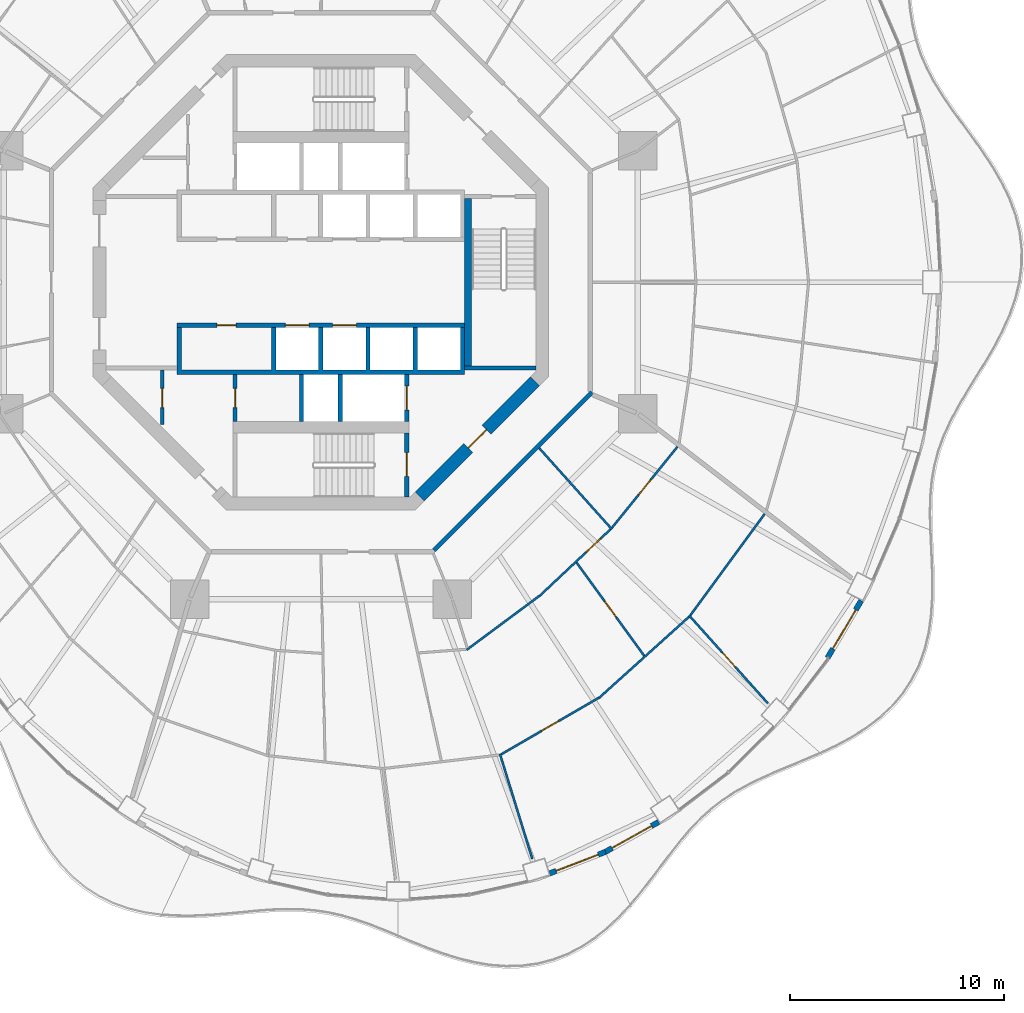
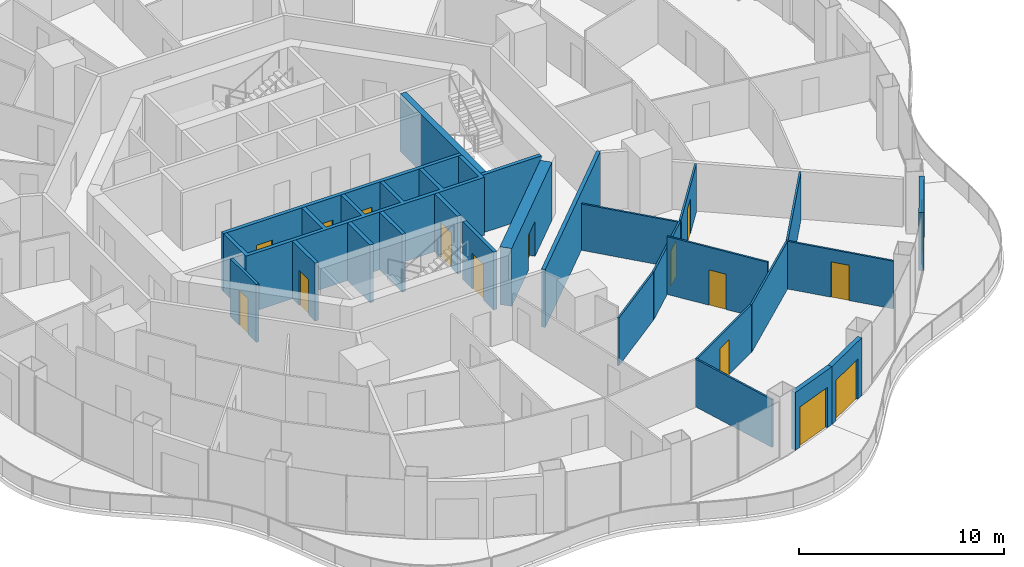
# One storey, part 12 of 19: 25 walls, 16 doors, 16 openings.
"""IFC4 building model written with IfcOpenShell, lengths in metres."""

from ifc_helpers import new_model, si_unit, direction, frame, frame_2d, origin, place, context, subcontext, project, spatial, polyline, rectangle, outline, extrude, material, layer, layer_set, type_object, element, fill, save


model = new_model("IFC4")

# Units and contexts
model_context = context("Model", 3, precision=1e-05, world=origin(), true_north=direction((0.0, 1.0)))
body_context = subcontext(model_context, "Body", "Model", "MODEL_VIEW")
ifc_project = project(units=[si_unit("LENGTHUNIT", "METRE"), si_unit("AREAUNIT", "SQUARE_METRE"), si_unit("VOLUMEUNIT", "CUBIC_METRE"), si_unit("PLANEANGLEUNIT", "RADIAN"), si_unit("MASSUNIT", "GRAM", prefix="KILO")], contexts=[model_context])

# Site, building, storey
site_placement = place(None, origin())
site = spatial("IfcSite", under=ifc_project, at=site_placement, CompositionType="ELEMENT")
building_placement = place(site_placement, origin())
building = spatial("IfcBuilding", under=site, at=building_placement, Name="Nagisa Residences", CompositionType="ELEMENT")
storey_placement = place(building_placement, frame((0.0, 0.0, 184.39990234375)))
storey = spatial("IfcBuildingStorey", under=building, at=storey_placement, Name="L46", CompositionType="ELEMENT", Elevation=184.39990234375)

# Walls
ifc_material_1 = material(Name="Gypsum board on steel studs", Category="steel")
ifc_layer_1 = layer(ifc_material_1, 0.199951171875)
ifc_layer_set_1 = layer_set([ifc_layer_1], Name="Apartment entry wall EI60 200")
wall_type_1 = type_object("IfcWallType", Name="Apartment entry wall EI60 200", PredefinedType="PARTITIONING", material=ifc_layer_set_1)
wall_1_placement = place(storey_placement, frame((5.275146484375, -12.494140625, 0.0), z_axis=(0.0, 0.0, 1.0), x_axis=(0.707106781187, 0.707106781187, 0.0)))
element("IfcWall", 1, at=wall_1_placement, inside=storey, type_object=wall_type_1, Name="wall:L46:u17", PredefinedType="PARTITIONING", context=body_context, shape_type="SweptSolid", body=[
    extrude(rectangle(XDim=10.4091796875, YDim=0.199951171875, at=frame_2d((5.20458984375, 0.0))), origin(), (0.0, 0.0, 1.0), 3.440185546875),
])
ifc_material_2 = material(Name="Gypsum board on steel studs", Category="steel")
ifc_layer_2 = layer(ifc_material_2, 0.10009765625)
ifc_layer_set_2 = layer_set([ifc_layer_2], Name="Apartment partition 100")
wall_type_2 = type_object("IfcWallType", Name="Apartment partition 100", PredefinedType="PARTITIONING", material=ifc_layer_set_2)
wall_2_placement = place(storey_placement, frame((6.80078125, -17.13916015625, 0.0), z_axis=(0.0, 0.0, 1.0), x_axis=(0.802795005531, 0.596255129198, 0.0)))
element("IfcWall", 2, at=wall_2_placement, inside=storey, type_object=wall_type_2, Name="wall:L46:u84", PredefinedType="PARTITIONING", context=body_context, shape_type="SweptSolid", body=[
    extrude(rectangle(XDim=4.242431640625, YDim=0.10009765625, at=frame_2d((2.12109375, 0.0))), origin(), (0.0, 0.0, 1.0), 2.837158203125),
])
wall_3_placement = place(storey_placement, frame((8.346923828125, -21.990478515625, 0.0), z_axis=(0.0, 0.0, 1.0), x_axis=(0.294828785667, -0.955550096616, 0.0)))
element("IfcWall", 3, at=wall_3_placement, inside=storey, type_object=wall_type_2, Name="wall:L46:u85", PredefinedType="PARTITIONING", context=body_context, shape_type="SweptSolid", body=[
    extrude(rectangle(XDim=5.125732421875, YDim=0.10009765625, at=frame_2d((2.56298828125, 0.0))), origin(), (0.0, 0.0, 1.0), 2.837158203125),
])

# Wall, opening, door
wall_4_placement = place(storey_placement, frame((8.405029296875, -22.01318359375, 0.0), z_axis=(0.0, 0.0, 1.0), x_axis=(0.865277177388, 0.501293732547, 0.0)))
wall_4 = element("IfcWall", 4, at=wall_4_placement, inside=storey, type_object=wall_type_2, Name="wall:L46:u86", PredefinedType="PARTITIONING", context=body_context, shape_type="SweptSolid", body=[
    extrude(rectangle(XDim=5.27001953125, YDim=0.10009765625, at=frame_2d((2.635009765625, 0.0))), origin(), (0.0, 0.0, 1.0), 2.837158203125),
])
opening_1_placement = place(wall_4_placement, frame((2.18505859375, 0.0, 0.0)))
opening_1 = element("IfcOpeningElement", 5, at=opening_1_placement, cuts=wall_4, Name="Opening L46-U29", PredefinedType="OPENING", context=body_context, shape_type="SweptSolid", body=[
    extrude(rectangle(XDim=0.89990234375, YDim=2.10009765625, at=frame_2d((0.449951171875, 1.050048828125))), frame((0.0, 0.06005859375, 0.0), z_axis=(0.0, -1.0, 0.0), x_axis=(1.0, 0.0, 0.0)), (0.0, 0.0, 1.0), 0.1201171875),
])
ifc_material_3 = material(Name="Timber door set", Category="wood")
door_type_1 = type_object("IfcDoorType", Name="Apartment door 900x2100", OperationType="NOTDEFINED", PredefinedType="DOOR", material=ifc_material_3)
door_1_placement = place(opening_1_placement, frame((0.89990234375, 0.0, 0.0), x_axis=(-1.0, 0.0, 0.0)))
door_1 = element("IfcDoor", 6, at=door_1_placement, inside=storey, type_object=door_type_1, Name="Door to family room, Apartment 46C", OperationType="SINGLE_SWING_RIGHT", OverallHeight=2.10009765625, OverallWidth=0.89990234375, PredefinedType="DOOR", context=body_context, shape_type="SweptSolid", body=[
    extrude(rectangle(XDim=0.89990234375, YDim=2.10009765625, at=frame_2d((0.449951171875, 1.050048828125))), frame((0.0, 0.02490234375, 0.0), z_axis=(0.0, -1.0, 0.0), x_axis=(1.0, 0.0, 0.0)), (0.0, 0.0, 1.0), 0.050048828125),
])
fill(opening_1, door_1)

wall_5_placement = place(storey_placement, frame((10.21044921875, -14.614013671875, 0.0), z_axis=(0.0, 0.0, 1.0), x_axis=(0.728883199496, 0.684638066055, 0.0)))
wall_5 = element("IfcWall", 7, at=wall_5_placement, inside=storey, type_object=wall_type_2, Name="wall:L46:u87", PredefinedType="PARTITIONING", context=body_context, shape_type="SweptSolid", body=[
    extrude(rectangle(XDim=4.519287109375, YDim=0.10009765625, at=frame_2d((2.259765625, 0.0))), origin(), (0.0, 0.0, 1.0), 2.837158203125),
])
opening_2_placement = place(wall_5_placement, frame((2.96435546875, 0.0, 0.0)))
opening_2 = element("IfcOpeningElement", 8, at=opening_2_placement, cuts=wall_5, Name="Opening L46-U31", PredefinedType="OPENING", context=body_context, shape_type="SweptSolid", body=[
    extrude(rectangle(XDim=0.89990234375, YDim=2.10009765625, at=frame_2d((0.449951171875, 1.050048828125))), frame((0.0, 0.06005859375, 0.0), z_axis=(0.0, -1.0, 0.0), x_axis=(1.0, 0.0, 0.0)), (0.0, 0.0, 1.0), 0.1201171875),
])
door_2_placement = place(opening_2_placement, origin())
door_2 = element("IfcDoor", 9, at=door_2_placement, inside=storey, type_object=door_type_1, Name="Door to store, Apartment 46C", OperationType="SINGLE_SWING_LEFT", OverallHeight=2.10009765625, OverallWidth=0.89990234375, PredefinedType="DOOR", context=body_context, shape_type="SweptSolid", body=[
    extrude(rectangle(XDim=0.89990234375, YDim=2.10009765625, at=frame_2d((0.449951171875, 1.050048828125))), frame((0.0, 0.02490234375, 0.0), z_axis=(0.0, -1.0, 0.0), x_axis=(1.0, 0.0, 0.0)), (0.0, 0.0, 1.0), 0.050048828125),
])
fill(opening_2, door_2)

# Wall
wall_6_placement = place(storey_placement, frame((12.97119140625, -19.3798828125, 0.0), z_axis=(0.0, 0.0, 1.0), x_axis=(0.742768881471, 0.669547898748, 0.0)))
element("IfcWall", 10, at=wall_6_placement, inside=storey, type_object=wall_type_2, Name="wall:L46:u88", PredefinedType="PARTITIONING", context=body_context, shape_type="SweptSolid", body=[
    extrude(rectangle(XDim=5.6416015625, YDim=0.10009765625, at=frame_2d((2.82080078125, 0.0))), origin(), (0.0, 0.0, 1.0), 2.837158203125),
])

# Wall, opening, door
wall_7_placement = place(storey_placement, frame((11.923095703125, -13.0732421875, 0.0), z_axis=(0.0, 0.0, 1.0), x_axis=(0.587178522891, -0.809457461672, 0.0)))
wall_7 = element("IfcWall", 11, at=wall_7_placement, inside=storey, type_object=wall_type_2, Name="wall:L46:u89", PredefinedType="PARTITIONING", context=body_context, shape_type="SweptSolid", body=[
    extrude(rectangle(XDim=5.366455078125, YDim=0.10009765625, at=frame_2d((2.68310546875, 0.0))), origin(), (0.0, 0.0, 1.0), 3.440185546875),
])
opening_3_placement = place(wall_7_placement, frame((2.233154296875, 0.0, 0.0)))
opening_3 = element("IfcOpeningElement", 12, at=opening_3_placement, cuts=wall_7, Name="Opening L46-U26", PredefinedType="OPENING", context=body_context, shape_type="SweptSolid", body=[
    extrude(rectangle(XDim=0.89990234375, YDim=2.10009765625, at=frame_2d((0.449951171875, 1.050048828125))), frame((0.0, 0.06005859375, 0.0), z_axis=(0.0, -1.0, 0.0), x_axis=(1.0, 0.0, 0.0)), (0.0, 0.0, 1.0), 0.1201171875),
])
door_3_placement = place(opening_3_placement, origin())
door_3 = element("IfcDoor", 13, at=door_3_placement, inside=storey, type_object=door_type_1, Name="Door to kitchen, Apartment 46C", OperationType="SINGLE_SWING_RIGHT", OverallHeight=2.10009765625, OverallWidth=0.89990234375, PredefinedType="DOOR", context=body_context, shape_type="SweptSolid", body=[
    extrude(rectangle(XDim=0.89990234375, YDim=2.10009765625, at=frame_2d((0.449951171875, 1.050048828125))), frame((0.0, 0.02490234375, 0.0), z_axis=(0.0, -1.0, 0.0), x_axis=(1.0, 0.0, 0.0)), (0.0, 0.0, 1.0), 0.050048828125),
])
fill(opening_3, door_3)

# Wall
wall_8_placement = place(storey_placement, frame((10.177978515625, -7.732421875, 0.0), z_axis=(0.0, 0.0, 1.0), x_axis=(0.667285466359, -0.744802058527, 0.0)))
element("IfcWall", 14, at=wall_8_placement, inside=storey, type_object=wall_type_2, Name="wall:L46:u90", PredefinedType="PARTITIONING", context=body_context, shape_type="SweptSolid", body=[
    extrude(rectangle(XDim=5.089599609375, YDim=0.10009765625, at=frame_2d((2.544921875, 0.0))), origin(), (0.0, 0.0, 1.0), 2.756103515625),
])

# Wall, opening, door
wall_9_placement = place(storey_placement, frame((13.572265625, -11.447021484375, 0.0), z_axis=(0.0, 0.0, 1.0), x_axis=(0.628738316533, 0.777616955399, 0.0)))
wall_9 = element("IfcWall", 15, at=wall_9_placement, inside=storey, type_object=wall_type_2, Name="wall:L46:u91", PredefinedType="PARTITIONING", context=body_context, shape_type="SweptSolid", body=[
    extrude(rectangle(XDim=4.857177734375, YDim=0.10009765625, at=frame_2d((2.4287109375, 0.0))), origin(), (0.0, 0.0, 1.0), 2.837158203125),
])
opening_4_placement = place(wall_9_placement, frame((1.978759765625, 0.0, 0.0)))
opening_4 = element("IfcOpeningElement", 16, at=opening_4_placement, cuts=wall_9, Name="Opening L46-U32", PredefinedType="OPENING", context=body_context, shape_type="SweptSolid", body=[
    extrude(rectangle(XDim=0.89990234375, YDim=2.10009765625, at=frame_2d((0.449951171875, 1.050048828125))), frame((0.0, 0.06005859375, 0.0), z_axis=(0.0, -1.0, 0.0), x_axis=(1.0, 0.0, 0.0)), (0.0, 0.0, 1.0), 0.1201171875),
])
door_4_placement = place(opening_4_placement, origin())
door_4 = element("IfcDoor", 17, at=door_4_placement, inside=storey, type_object=door_type_1, Name="Door to laundry, Apartment 46C", OperationType="SINGLE_SWING_RIGHT", OverallHeight=2.10009765625, OverallWidth=0.89990234375, PredefinedType="DOOR", context=body_context, shape_type="SweptSolid", body=[
    extrude(rectangle(XDim=0.89990234375, YDim=2.10009765625, at=frame_2d((0.449951171875, 1.050048828125))), frame((0.0, 0.02490234375, 0.0), z_axis=(0.0, -1.0, 0.0), x_axis=(1.0, 0.0, 0.0)), (0.0, 0.0, 1.0), 0.050048828125),
])
fill(opening_4, door_4)

wall_10_placement = place(storey_placement, frame((17.16552734375, -15.53173828125, 0.0), z_axis=(0.0, 0.0, 1.0), x_axis=(0.66728415915, -0.744803229684, 0.0)))
wall_10 = element("IfcWall", 18, at=wall_10_placement, inside=storey, type_object=wall_type_2, Name="wall:L46:u92", PredefinedType="PARTITIONING", context=body_context, shape_type="SweptSolid", body=[
    extrude(rectangle(XDim=5.511474609375, YDim=0.10009765625, at=frame_2d((2.755859375, 0.0))), origin(), (0.0, 0.0, 1.0), 2.837158203125),
])
opening_5_placement = place(wall_10_placement, frame((2.330810546875, 0.0, 0.0)))
opening_5 = element("IfcOpeningElement", 19, at=opening_5_placement, cuts=wall_10, Name="Opening L46-U30", PredefinedType="OPENING", context=body_context, shape_type="SweptSolid", body=[
    extrude(rectangle(XDim=0.89990234375, YDim=2.10009765625, at=frame_2d((0.449951171875, 1.050048828125))), frame((0.0, 0.06005859375, 0.0), z_axis=(0.0, -1.0, 0.0), x_axis=(1.0, 0.0, 0.0)), (0.0, 0.0, 1.0), 0.1201171875),
])
door_5_placement = place(opening_5_placement, origin())
door_5 = element("IfcDoor", 20, at=door_5_placement, inside=storey, type_object=door_type_1, Name="Door to master bedroom, Apartment 46C", OperationType="SINGLE_SWING_RIGHT", OverallHeight=2.10009765625, OverallWidth=0.89990234375, PredefinedType="DOOR", context=body_context, shape_type="SweptSolid", body=[
    extrude(rectangle(XDim=0.89990234375, YDim=2.10009765625, at=frame_2d((0.449951171875, 1.050048828125))), frame((0.0, 0.02490234375, 0.0), z_axis=(0.0, -1.0, 0.0), x_axis=(1.0, 0.0, 0.0)), (0.0, 0.0, 1.0), 0.050048828125),
])
fill(opening_5, door_5)

# Wall
wall_11_placement = place(storey_placement, frame((17.228515625, -15.528564453125, 0.0), z_axis=(0.0, 0.0, 1.0), x_axis=(0.591110768293, 0.806590391468, 0.0)))
element("IfcWall", 21, at=wall_11_placement, inside=storey, type_object=wall_type_2, Name="wall:L46:u93", PredefinedType="PARTITIONING", context=body_context, shape_type="SweptSolid", body=[
    extrude(rectangle(XDim=5.85986328125, YDim=0.10009765625, at=frame_2d((2.929931640625, 0.0))), origin(), (0.0, 0.0, 1.0), 2.837158203125),
])

# Wall, opening, door
ifc_material_4 = material(Name="Precast concrete C40/50", Category="concrete")
ifc_layer_3 = layer(ifc_material_4, 0.25)
ifc_layer_set_3 = layer_set([ifc_layer_3], Name="BALCONY DOOR WALL 250")
wall_type_3 = type_object("IfcWallType", Name="BALCONY DOOR WALL 250", PredefinedType="SOLIDWALL", material=ifc_layer_set_3)
wall_12_placement = place(storey_placement, frame((13.265625, -26.560302734375, 0.0), z_axis=(0.0, 0.0, 1.0), x_axis=(-0.932806734513, -0.360377019311, 0.0)))
wall_12 = element("IfcWall", 22, at=wall_12_placement, inside=storey, type_object=wall_type_3, Name="wall:L46:bay38", PredefinedType="SOLIDWALL", context=body_context, shape_type="SweptSolid", body=[
    extrude(rectangle(XDim=2.819580078125, YDim=0.25, at=frame_2d((1.40966796875, 0.0))), origin(), (0.0, 0.0, 1.0), 3.440185546875),
])
opening_6_placement = place(wall_12_placement, frame((0.359619140625, 0.0, 0.0)))
opening_6 = element("IfcOpeningElement", 23, at=opening_6_placement, cuts=wall_12, Name="Opening BD-L46-13", PredefinedType="OPENING", context=body_context, shape_type="SweptSolid", body=[
    extrude(rectangle(XDim=2.10009765625, YDim=2.39990234375, at=frame_2d((1.050048828125, 1.199951171875))), frame((0.0, 0.135009765625, 0.0), z_axis=(0.0, -1.0, 0.0), x_axis=(1.0, 0.0, 0.0)), (0.0, 0.0, 1.0), 0.27001953125),
])
ifc_material_5 = material(Name="Aluminium and clear glass", Category="aluminium")
door_type_2 = type_object("IfcDoorType", Name="BALCONY SLIDING DOOR 2100x2400", OperationType="SLIDING_TO_LEFT", PredefinedType="DOOR", material=ifc_material_5)
door_6_placement = place(opening_6_placement, origin())
door_6 = element("IfcDoor", 24, at=door_6_placement, inside=storey, type_object=door_type_2, Name="door:L46:bay38", OperationType="SLIDING_TO_LEFT", OverallHeight=2.39990234375, OverallWidth=2.10009765625, PredefinedType="DOOR", context=body_context, shape_type="SweptSolid", body=[
    extrude(rectangle(XDim=2.10009765625, YDim=2.39990234375, at=frame_2d((1.050048828125, 1.199951171875))), frame((0.0, 0.02490234375, 0.0), z_axis=(0.0, -1.0, 0.0), x_axis=(1.0, 0.0, 0.0)), (0.0, 0.0, 1.0), 0.050048828125),
])
fill(opening_6, door_6)

wall_13_placement = place(storey_placement, frame((15.74658203125, -25.166748046875, 0.0), z_axis=(0.0, 0.0, 1.0), x_axis=(-0.872057843239, -0.489402817774, 0.0)))
wall_13 = element("IfcWall", 25, at=wall_13_placement, inside=storey, type_object=wall_type_3, Name="wall:L46:bay39", PredefinedType="SOLIDWALL", context=body_context, shape_type="SweptSolid", body=[
    extrude(rectangle(XDim=2.863525390625, YDim=0.25, at=frame_2d((1.431640625, 0.0))), origin(), (0.0, 0.0, 1.0), 3.440185546875),
])
opening_7_placement = place(wall_13_placement, frame((0.3818359375, 0.0, 0.0)))
opening_7 = element("IfcOpeningElement", 26, at=opening_7_placement, cuts=wall_13, Name="Opening BD-L46-14", PredefinedType="OPENING", context=body_context, shape_type="SweptSolid", body=[
    extrude(rectangle(XDim=2.10009765625, YDim=2.39990234375, at=frame_2d((1.050048828125, 1.199951171875))), frame((0.0, 0.135009765625, 0.0), z_axis=(0.0, -1.0, 0.0), x_axis=(1.0, 0.0, 0.0)), (0.0, 0.0, 1.0), 0.27001953125),
])
door_7_placement = place(opening_7_placement, origin())
door_7 = element("IfcDoor", 27, at=door_7_placement, inside=storey, type_object=door_type_2, Name="door:L46:bay39", OperationType="SLIDING_TO_LEFT", OverallHeight=2.39990234375, OverallWidth=2.10009765625, PredefinedType="DOOR", context=body_context, shape_type="SweptSolid", body=[
    extrude(rectangle(XDim=2.10009765625, YDim=2.39990234375, at=frame_2d((1.050048828125, 1.199951171875))), frame((0.0, 0.02490234375, 0.0), z_axis=(0.0, -1.0, 0.0), x_axis=(1.0, 0.0, 0.0)), (0.0, 0.0, 1.0), 0.050048828125),
])
fill(opening_7, door_7)

wall_14_placement = place(storey_placement, frame((25.189208984375, -14.848388671875, 0.0), z_axis=(0.0, 0.0, 1.0), x_axis=(-0.506367803691, -0.862317602386, 0.0)))
wall_14 = element("IfcWall", 28, at=wall_14_placement, inside=storey, type_object=wall_type_3, Name="wall:L46:bay43", PredefinedType="SOLIDWALL", context=body_context, shape_type="SweptSolid", body=[
    extrude(rectangle(XDim=3.092041015625, YDim=0.25, at=frame_2d((1.5458984375, 0.0))), origin(), (0.0, 0.0, 1.0), 3.440185546875),
])
opening_8_placement = place(wall_14_placement, frame((0.495849609375, 0.0, 0.0)))
opening_8 = element("IfcOpeningElement", 29, at=opening_8_placement, cuts=wall_14, Name="Opening BD-L46-15", PredefinedType="OPENING", context=body_context, shape_type="SweptSolid", body=[
    extrude(rectangle(XDim=2.10009765625, YDim=2.39990234375, at=frame_2d((1.050048828125, 1.199951171875))), frame((0.0, 0.135009765625, 0.0), z_axis=(0.0, -1.0, 0.0), x_axis=(1.0, 0.0, 0.0)), (0.0, 0.0, 1.0), 0.27001953125),
])
door_8_placement = place(opening_8_placement, origin())
door_8 = element("IfcDoor", 30, at=door_8_placement, inside=storey, type_object=door_type_2, Name="door:L46:bay43", OperationType="SLIDING_TO_LEFT", OverallHeight=2.39990234375, OverallWidth=2.10009765625, PredefinedType="DOOR", context=body_context, shape_type="SweptSolid", body=[
    extrude(rectangle(XDim=2.10009765625, YDim=2.39990234375, at=frame_2d((1.050048828125, 1.199951171875))), frame((0.0, 0.02490234375, 0.0), z_axis=(0.0, -1.0, 0.0), x_axis=(1.0, 0.0, 0.0)), (0.0, 0.0, 1.0), 0.050048828125),
])
fill(opening_8, door_8)

ifc_material_6 = material(Name="Gypsum board on steel studs", Category="steel")
ifc_layer_4 = layer(ifc_material_6, 0.14990234375)
ifc_layer_set_4 = layer_set([ifc_layer_4], Name="Core partition 150")
wall_type_4 = type_object("IfcWallType", Name="Core partition 150", PredefinedType="PARTITIONING", material=ifc_layer_set_4)
wall_15_placement = place(storey_placement, frame((-7.39990234375, -6.626953125, 0.0), z_axis=(0.0, 0.0, 1.0), x_axis=(0.0, 1.0, 0.0)))
wall_15 = element("IfcWall", 31, at=wall_15_placement, inside=storey, type_object=wall_type_4, Name="wall:L46:SWp", PredefinedType="PARTITIONING", context=body_context, shape_type="SweptSolid", body=[
    extrude(rectangle(XDim=2.52685546875, YDim=0.14990234375, at=frame_2d((1.263427734375, 0.0))), origin(), (0.0, 0.0, 1.0), 3.440185546875),
])
opening_9_placement = place(wall_15_placement, frame((0.77587890625, 0.0, 0.0)))
opening_9 = element("IfcOpeningElement", 32, at=opening_9_placement, cuts=wall_15, Name="Opening L46-C13", PredefinedType="OPENING", context=body_context, shape_type="SweptSolid", body=[
    extrude(rectangle(XDim=0.89990234375, YDim=2.10009765625, at=frame_2d((0.449951171875, 1.050048828125))), frame((0.0, 0.0849609375, 0.0), z_axis=(0.0, -1.0, 0.0), x_axis=(1.0, 0.0, 0.0)), (0.0, 0.0, 1.0), 0.169921875),
])
ifc_material_7 = material(Name="Steel fire door", Category="steel")
door_type_3 = type_object("IfcDoorType", Name="Fire door EI30 900x2100 single swing", OperationType="NOTDEFINED", PredefinedType="DOOR", material=ifc_material_7)
door_9_placement = place(opening_9_placement, origin())
door_9 = element("IfcDoor", 33, at=door_9_placement, inside=storey, type_object=door_type_3, Name="Refuse room door L46", OperationType="SINGLE_SWING_RIGHT", OverallHeight=2.10009765625, OverallWidth=0.89990234375, PredefinedType="DOOR", context=body_context, shape_type="SweptSolid", body=[
    extrude(rectangle(XDim=0.89990234375, YDim=2.10009765625, at=frame_2d((0.449951171875, 1.050048828125))), frame((0.0, 0.02490234375, 0.0), z_axis=(0.0, -1.0, 0.0), x_axis=(1.0, 0.0, 0.0)), (0.0, 0.0, 1.0), 0.050048828125),
])
fill(opening_9, door_9)

ifc_material_8 = material(Name="Concrete C60", Category="concrete")
ifc_layer_5 = layer(ifc_material_8, 0.60009765625)
ifc_layer_set_5 = layer_set([ifc_layer_5], Name="Core shear wall 600")
wall_type_5 = type_object("IfcWallType", Name="Core shear wall 600", PredefinedType="SHEAR", material=ifc_layer_set_5)
wall_16_placement = place(storey_placement, frame((4.613037109375, -9.98828125, 0.0), z_axis=(0.0, 0.0, 1.0), x_axis=(0.707106781187, 0.707106781187, 0.0)))
wall_16 = element("IfcWall", 34, at=wall_16_placement, inside=storey, type_object=wall_type_5, Name="wall:L46:core:flat7", PredefinedType="SHEAR", context=body_context, shape_type="SweptSolid", body=[
    extrude(rectangle(XDim=7.601806640625, YDim=0.60009765625, at=frame_2d((3.80078125, 0.0))), origin(), (0.0, 0.0, 1.0), 3.440185546875),
])
opening_10_placement = place(wall_16_placement, frame((3.200927734375, 0.0, 0.0)))
opening_10 = element("IfcOpeningElement", 35, at=opening_10_placement, cuts=wall_16, Name="Opening L46-C19", PredefinedType="OPENING", context=body_context, shape_type="SweptSolid", body=[
    extrude(rectangle(XDim=1.199951171875, YDim=2.10009765625, at=frame_2d((0.60009765625, 1.050048828125))), frame((0.0, 0.31005859375, 0.0), z_axis=(0.0, -1.0, 0.0), x_axis=(1.0, 0.0, 0.0)), (0.0, 0.0, 1.0), 0.6201171875),
])
ifc_material_9 = material(Name="Steel fire door", Category="steel")
door_type_4 = type_object("IfcDoorType", Name="Fire door EI60 1200x2100 single swing", OperationType="NOTDEFINED", PredefinedType="DOOR", material=ifc_material_9)
door_10_placement = place(opening_10_placement, origin())
door_10 = element("IfcDoor", 36, at=door_10_placement, inside=storey, type_object=door_type_4, Name="Firefighting lobby 2 door L46", OperationType="SINGLE_SWING_RIGHT", OverallHeight=2.10009765625, OverallWidth=1.199951171875, PredefinedType="DOOR", context=body_context, shape_type="SweptSolid", body=[
    extrude(rectangle(XDim=1.199951171875, YDim=2.10009765625, at=frame_2d((0.60009765625, 1.050048828125))), frame((0.0, 0.02490234375, 0.0), z_axis=(0.0, -1.0, 0.0), x_axis=(1.0, 0.0, 0.0)), (0.0, 0.0, 1.0), 0.050048828125),
])
fill(opening_10, door_10)

ifc_material_10 = material(Name="Concrete C60", Category="concrete")
ifc_layer_6 = layer(ifc_material_10, 0.199951171875)
ifc_layer_set_6 = layer_set([ifc_layer_6], Name="Lift shaft wall 200")
wall_type_6 = type_object("IfcWallType", Name="Lift shaft wall 200", PredefinedType="SOLIDWALL", material=ifc_layer_set_6)
wall_17_placement = place(storey_placement, frame((4.0, -6.5, 0.0), z_axis=(0.0, 0.0, 1.0), x_axis=(0.0, 1.0, 0.0)))
wall_17 = element("IfcWall", 37, at=wall_17_placement, inside=storey, type_object=wall_type_6, Name="wall:L46:Sb3", PredefinedType="SOLIDWALL", context=body_context, shape_type="SweptSolid", body=[
    extrude(rectangle(XDim=2.199951171875, YDim=0.199951171875, at=frame_2d((1.10009765625, 0.0))), origin(), (0.0, 0.0, 1.0), 3.440185546875),
])
opening_11_placement = place(wall_17_placement, frame((0.550048828125, 0.0, 0.0)))
opening_11 = element("IfcOpeningElement", 38, at=opening_11_placement, cuts=wall_17, Name="Opening L46-C06", PredefinedType="OPENING", context=body_context, shape_type="SweptSolid", body=[
    extrude(rectangle(XDim=1.10009765625, YDim=2.10009765625, at=frame_2d((0.550048828125, 1.050048828125))), frame((0.0, 0.10986328125, 0.0), z_axis=(0.0, -1.0, 0.0), x_axis=(1.0, 0.0, 0.0)), (0.0, 0.0, 1.0), 0.219970703125),
])
ifc_material_11 = material(Name="Stainless steel", Category="steel")
door_type_5 = type_object("IfcDoorType", Name="Lift landing door 1100x2100", OperationType="DOUBLE_DOOR_SLIDING", PredefinedType="DOOR", material=ifc_material_11)
door_11_placement = place(opening_11_placement, origin())
door_11 = element("IfcDoor", 39, at=door_11_placement, inside=storey, type_object=door_type_5, Name="Landing door FL2 L46", OperationType="DOUBLE_DOOR_SLIDING", OverallHeight=2.10009765625, OverallWidth=1.10009765625, PredefinedType="DOOR", context=body_context, shape_type="SweptSolid", body=[
    extrude(rectangle(XDim=1.10009765625, YDim=2.10009765625, at=frame_2d((0.550048828125, 1.050048828125))), frame((0.0, 0.02490234375, 0.0), z_axis=(0.0, -1.0, 0.0), x_axis=(1.0, 0.0, 0.0)), (0.0, 0.0, 1.0), 0.050048828125),
])
fill(opening_11, door_11)

wall_18_placement = place(storey_placement, frame((-4.0, -6.5, 0.0), z_axis=(0.0, 0.0, 1.0), x_axis=(0.0, 1.0, 0.0)))
wall_18 = element("IfcWall", 40, at=wall_18_placement, inside=storey, type_object=wall_type_6, Name="wall:L46:Sb4", PredefinedType="SOLIDWALL", context=body_context, shape_type="SweptSolid", body=[
    extrude(rectangle(XDim=2.199951171875, YDim=0.199951171875, at=frame_2d((1.10009765625, 0.0))), origin(), (0.0, 0.0, 1.0), 3.440185546875),
])
opening_12_placement = place(wall_18_placement, frame((0.64990234375, 0.0, 0.0)))
opening_12 = element("IfcOpeningElement", 41, at=opening_12_placement, cuts=wall_18, Name="Opening L46-C14", PredefinedType="OPENING", context=body_context, shape_type="SweptSolid", body=[
    extrude(rectangle(XDim=0.89990234375, YDim=2.10009765625, at=frame_2d((0.449951171875, 1.050048828125))), frame((0.0, 0.10986328125, 0.0), z_axis=(0.0, -1.0, 0.0), x_axis=(1.0, 0.0, 0.0)), (0.0, 0.0, 1.0), 0.219970703125),
])
door_12_placement = place(opening_12_placement, frame((0.89990234375, 0.0, 0.0), x_axis=(-1.0, 0.0, 0.0)))
door_12 = element("IfcDoor", 42, at=door_12_placement, inside=storey, type_object=door_type_3, Name="Refuse room door L46", OperationType="SINGLE_SWING_RIGHT", OverallHeight=2.10009765625, OverallWidth=0.89990234375, PredefinedType="DOOR", context=body_context, shape_type="SweptSolid", body=[
    extrude(rectangle(XDim=0.89990234375, YDim=2.10009765625, at=frame_2d((0.449951171875, 1.050048828125))), frame((0.0, 0.02490234375, 0.0), z_axis=(0.0, -1.0, 0.0), x_axis=(1.0, 0.0, 0.0)), (0.0, 0.0, 1.0), 0.050048828125),
])
fill(opening_12, door_12)

# Wall, openings, doors
wall_19_placement = place(storey_placement, frame((-6.699951171875, -2.0, 0.0), z_axis=(0.0, 0.0, 1.0), x_axis=(1.0, 0.0, 0.0)))
wall_19 = element("IfcWall", 43, at=wall_19_placement, inside=storey, type_object=wall_type_6, Name="wall:L46:Sfront", PredefinedType="SOLIDWALL", context=body_context, shape_type="SweptSolid", body=[
    extrude(rectangle(XDim=13.39990234375, YDim=0.199951171875, at=frame_2d((6.699951171875, 0.0))), origin(), (0.0, 0.0, 1.0), 3.440185546875),
])
opening_13_placement = place(wall_19_placement, frame((5.050048828125, 0.0, 0.0)))
opening_13 = element("IfcOpeningElement", 44, at=opening_13_placement, cuts=wall_19, Name="Opening L46-C03", PredefinedType="OPENING", context=body_context, shape_type="SweptSolid", body=[
    extrude(rectangle(XDim=1.10009765625, YDim=2.10009765625, at=frame_2d((0.550048828125, 1.050048828125))), frame((0.0, 0.10986328125, 0.0), z_axis=(0.0, -1.0, 0.0), x_axis=(1.0, 0.0, 0.0)), (0.0, 0.0, 1.0), 0.219970703125),
])
opening_14_placement = place(wall_19_placement, frame((7.25, 0.0, 0.0)))
opening_14 = element("IfcOpeningElement", 45, at=opening_14_placement, cuts=wall_19, Name="Opening L46-C04", PredefinedType="OPENING", context=body_context, shape_type="SweptSolid", body=[
    extrude(rectangle(XDim=1.10009765625, YDim=2.10009765625, at=frame_2d((0.550048828125, 1.050048828125))), frame((0.0, 0.10986328125, 0.0), z_axis=(0.0, -1.0, 0.0), x_axis=(1.0, 0.0, 0.0)), (0.0, 0.0, 1.0), 0.219970703125),
])
opening_15_placement = place(wall_19_placement, frame((1.85009765625, 0.0, 0.0)))
opening_15 = element("IfcOpeningElement", 46, at=opening_15_placement, cuts=wall_19, Name="Opening L46-C17", PredefinedType="OPENING", context=body_context, shape_type="SweptSolid", body=[
    extrude(rectangle(XDim=0.89990234375, YDim=2.10009765625, at=frame_2d((0.449951171875, 1.050048828125))), frame((0.0, 0.10986328125, 0.0), z_axis=(0.0, -1.0, 0.0), x_axis=(1.0, 0.0, 0.0)), (0.0, 0.0, 1.0), 0.219970703125),
])
door_13_placement = place(opening_15_placement, frame((0.89990234375, 0.0, 0.0), x_axis=(-1.0, 0.0, 0.0)))
door_13 = element("IfcDoor", 47, at=door_13_placement, inside=storey, type_object=door_type_3, Name="Housekeeping store door L46", OperationType="SINGLE_SWING_RIGHT", OverallHeight=2.10009765625, OverallWidth=0.89990234375, PredefinedType="DOOR", context=body_context, shape_type="SweptSolid", body=[
    extrude(rectangle(XDim=0.89990234375, YDim=2.10009765625, at=frame_2d((0.449951171875, 1.050048828125))), frame((0.0, 0.02490234375, 0.0), z_axis=(0.0, -1.0, 0.0), x_axis=(1.0, 0.0, 0.0)), (0.0, 0.0, 1.0), 0.050048828125),
])
fill(opening_15, door_13)
door_14_placement = place(opening_13_placement, origin())
door_14 = element("IfcDoor", 48, at=door_14_placement, inside=storey, type_object=door_type_5, Name="Landing door B3 L46", OperationType="DOUBLE_DOOR_SLIDING", OverallHeight=2.10009765625, OverallWidth=1.10009765625, PredefinedType="DOOR", context=body_context, shape_type="SweptSolid", body=[
    extrude(rectangle(XDim=1.10009765625, YDim=2.10009765625, at=frame_2d((0.550048828125, 1.050048828125))), frame((0.0, 0.02490234375, 0.0), z_axis=(0.0, -1.0, 0.0), x_axis=(1.0, 0.0, 0.0)), (0.0, 0.0, 1.0), 0.050048828125),
])
fill(opening_13, door_14)
door_15_placement = place(opening_14_placement, origin())
door_15 = element("IfcDoor", 49, at=door_15_placement, inside=storey, type_object=door_type_5, Name="Landing door B4 L46", OperationType="DOUBLE_DOOR_SLIDING", OverallHeight=2.10009765625, OverallWidth=1.10009765625, PredefinedType="DOOR", context=body_context, shape_type="SweptSolid", body=[
    extrude(rectangle(XDim=1.10009765625, YDim=2.10009765625, at=frame_2d((0.550048828125, 1.050048828125))), frame((0.0, 0.02490234375, 0.0), z_axis=(0.0, -1.0, 0.0), x_axis=(1.0, 0.0, 0.0)), (0.0, 0.0, 1.0), 0.050048828125),
])
fill(opening_14, door_15)

# Walls
for number, where, z_axis, x_axis, name in (
    (50, (-0.89990234375, -6.5, 0.0), (0.0, 0.0, 1.0), (0.0, 1.0, 0.0), "wall:L46:Sb1"),
    (51, (0.89990234375, -6.5, 0.0), (0.0, 0.0, 1.0), (0.0, 1.0, 0.0), "wall:L46:Sb2"),
):
    element("IfcWall", number, at=place(storey_placement, frame(where, z_axis=z_axis, x_axis=x_axis)), inside=storey, type_object=wall_type_6, Name=name, PredefinedType="SOLIDWALL", context=body_context, shape_type="SweptSolid", body=[
        extrude(rectangle(XDim=2.199951171875, YDim=0.199951171875, at=frame_2d((1.10009765625, 0.0))), origin(), (0.0, 0.0, 1.0), 3.440185546875),
    ])
wall_20_placement = place(storey_placement, origin())
element("IfcWall", 52, at=wall_20_placement, inside=storey, type_object=wall_type_6, Name="wall:L46:Sback", PredefinedType="SOLIDWALL", context=body_context, shape_type="SweptSolid", body=[
    extrude(outline(polyline([(-6.699951171875, -2.10009765625), (-6.5, -2.10009765625), (-6.5, -4.10009765625), (-2.300048828125, -4.10009765625), (-2.300048828125, -2.10009765625), (-2.10009765625, -2.10009765625), (-2.10009765625, -4.10009765625), (-0.10009765625, -4.10009765625), (-0.10009765625, -2.10009765625), (0.10009765625, -2.10009765625), (0.10009765625, -4.10009765625), (2.10009765625, -4.10009765625), (2.10009765625, -2.10009765625), (2.300048828125, -2.10009765625), (2.300048828125, -4.10009765625), (4.300048828125, -4.10009765625), (4.300048828125, -2.10009765625), (4.5, -2.10009765625), (4.5, -4.10009765625), (6.5, -4.10009765625), (6.5, -2.10009765625), (6.699951171875, -2.10009765625), (6.699951171875, -4.300048828125), (-6.699951171875, -4.300048828125), (-6.699951171875, -2.10009765625)])), origin(), (0.0, 0.0, 1.0), 3.440185546875),
])

# Wall, opening, door
ifc_material_12 = material(Name="Concrete C60", Category="concrete")
ifc_layer_7 = layer(ifc_material_12, 0.199951171875)
ifc_layer_set_7 = layer_set([ifc_layer_7], Name="Stair enclosure wall 200")
wall_type_7 = type_object("IfcWallType", Name="Stair enclosure wall 200", PredefinedType="SOLIDWALL", material=ifc_layer_set_7)
wall_21_placement = place(storey_placement, frame((4.0, -10.024658203125, 0.0), z_axis=(0.0, 0.0, 1.0), x_axis=(0.0, 1.0, 0.0)))
wall_21 = element("IfcWall", 53, at=wall_21_placement, inside=storey, type_object=wall_type_7, Name="wall:L46:SS_e", PredefinedType="SOLIDWALL", context=body_context, shape_type="SweptSolid", body=[
    extrude(rectangle(XDim=3.0, YDim=0.199951171875, at=frame_2d((1.5, 0.0))), origin(), (0.0, 0.0, 1.0), 3.440185546875),
])
opening_16_placement = place(wall_21_placement, frame((0.974609375, 0.0, 0.0)))
opening_16 = element("IfcOpeningElement", 54, at=opening_16_placement, cuts=wall_21, Name="Opening L46-C10", PredefinedType="OPENING", context=body_context, shape_type="SweptSolid", body=[
    extrude(rectangle(XDim=1.10009765625, YDim=2.10009765625, at=frame_2d((0.550048828125, 1.050048828125))), frame((0.0, 0.10986328125, 0.0), z_axis=(0.0, -1.0, 0.0), x_axis=(1.0, 0.0, 0.0)), (0.0, 0.0, 1.0), 0.219970703125),
])
ifc_material_13 = material(Name="Steel fire door", Category="steel")
door_type_6 = type_object("IfcDoorType", Name="Fire door EI90 1100x2100 single swing", OperationType="NOTDEFINED", PredefinedType="DOOR", material=ifc_material_13)
door_16_placement = place(opening_16_placement, origin())
door_16 = element("IfcDoor", 55, at=door_16_placement, inside=storey, type_object=door_type_6, Name="Stair door ST-S L46", OperationType="SINGLE_SWING_RIGHT", OverallHeight=2.10009765625, OverallWidth=1.10009765625, PredefinedType="DOOR", context=body_context, shape_type="SweptSolid", body=[
    extrude(rectangle(XDim=1.10009765625, YDim=2.10009765625, at=frame_2d((0.550048828125, 1.050048828125))), frame((0.0, 0.02490234375, 0.0), z_axis=(0.0, -1.0, 0.0), x_axis=(1.0, 0.0, 0.0)), (0.0, 0.0, 1.0), 0.050048828125),
])
fill(opening_16, door_16)

# Walls
wall_22_placement = place(storey_placement, origin())
element("IfcWall", 56, at=wall_22_placement, inside=storey, type_object=wall_type_7, Name="wall:L46:SE_w", PredefinedType="SOLIDWALL", context=body_context, shape_type="SweptSolid", body=[
    extrude(outline(polyline([(7.024658203125, -3.89990234375), (6.699951171875, -3.89990234375), (6.699951171875, 3.89990234375), (7.024658203125, 3.89990234375), (7.024658203125, -3.89990234375)])), origin(), (0.0, 0.0, 1.0), 3.440185546875),
])
wall_23_placement = place(storey_placement, origin())
element("IfcWall", 57, at=wall_23_placement, inside=storey, type_object=wall_type_7, Name="wall:L46:SE_s", PredefinedType="SOLIDWALL", context=body_context, shape_type="SweptSolid", body=[
    extrude(outline(polyline([(10.024658203125, -4.10009765625), (6.699951171875, -4.10009765625), (6.699951171875, -3.89990234375), (10.024658203125, -3.89990234375), (10.024658203125, -4.10009765625)])), origin(), (0.0, 0.0, 1.0), 3.440185546875),
])

save(model, "model.ifc")
